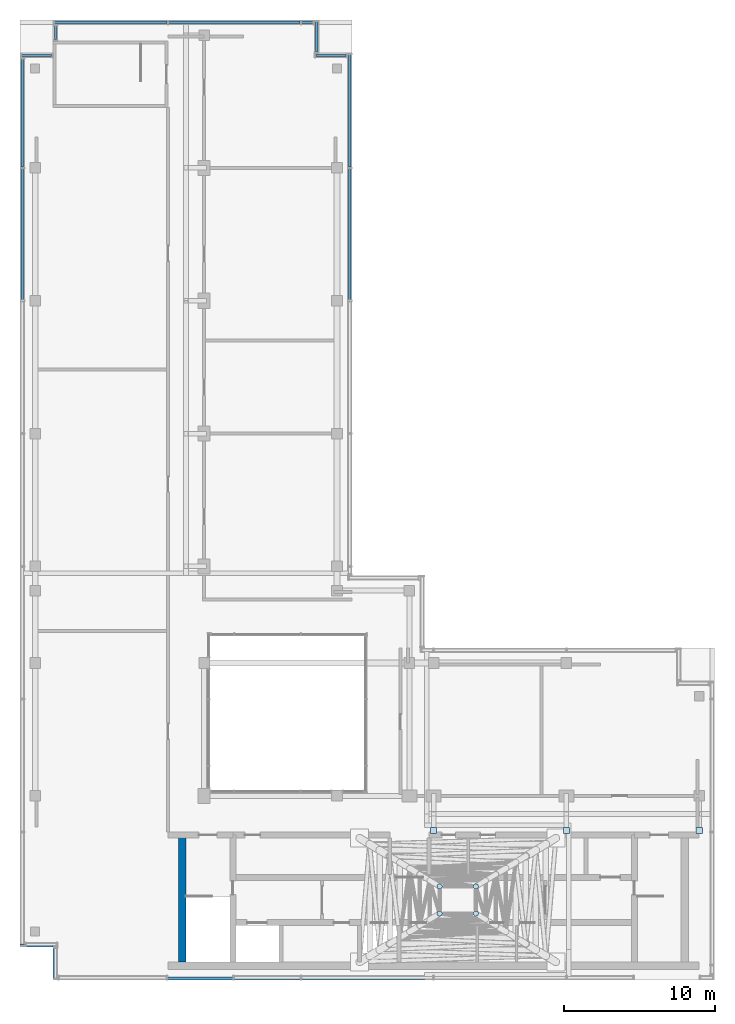
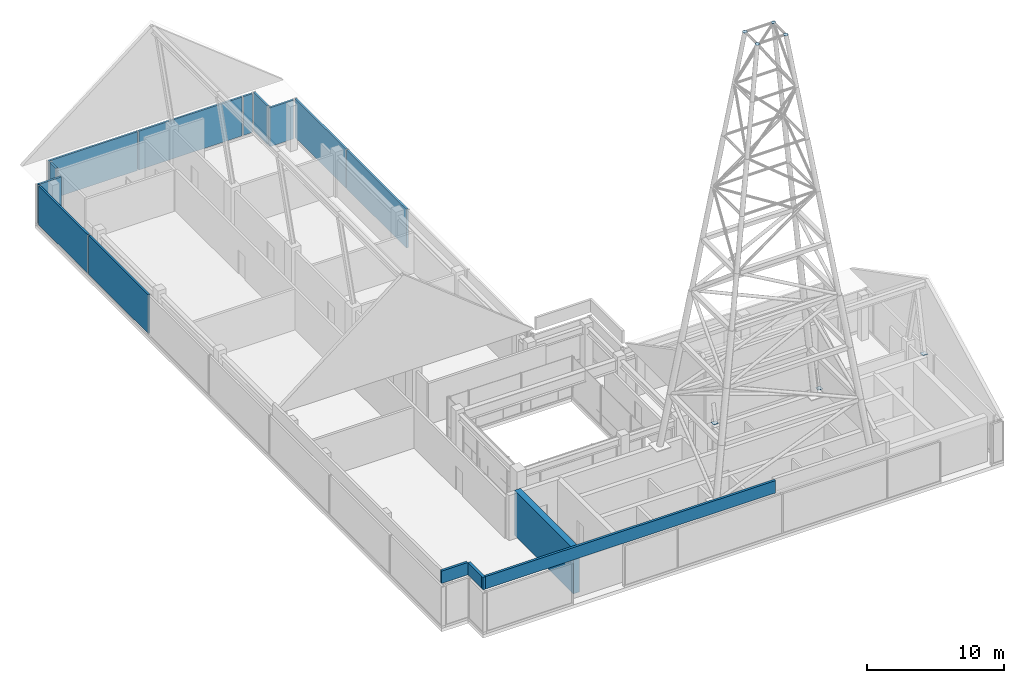
# One storey, part 10 of 13: 18 plates, 4 walls, 7 elements without a shape of their own.
"""IFC4 building model written with IfcOpenShell, lengths in metres."""

from ifc_helpers import new_model, si_unit, direction, frame, frame_2d, origin, origin_2d, place, context, subcontext, project, spatial, polyline, rectangle, outline, extrude, source, transform, mapped, material, layer, layer_set, type_object, element, aggregate, save


model = new_model("IFC4")

# Units and contexts
model_context = context("Model", 3, precision=1e-05, world=origin(), true_north=direction((0.0, 1.0)))
body_context = subcontext(model_context, "Body", "Model", "MODEL_VIEW")
ifc_project = project(units=[si_unit("LENGTHUNIT", "METRE"), si_unit("AREAUNIT", "SQUARE_METRE"), si_unit("VOLUMEUNIT", "CUBIC_METRE"), si_unit("PLANEANGLEUNIT", "RADIAN"), si_unit("MASSUNIT", "GRAM", prefix="KILO")], contexts=[model_context])

# Site, building, storey
site_placement = place(None, origin())
site = spatial("IfcSite", under=ifc_project, at=site_placement, CompositionType="ELEMENT")
building_placement = place(site_placement, origin())
building = spatial("IfcBuilding", under=site, at=building_placement, Name="Kemantara Hotel Tower", CompositionType="ELEMENT")
storey_placement = place(building_placement, frame((0.0, 0.0, 330.199951171875)))
storey = spatial("IfcBuildingStorey", under=building, at=storey_placement, Name="L83", CompositionType="ELEMENT", Elevation=330.199951171875)

# Plates
ifc_material_1 = material(Name="Steel ASTM A572 Grade 50", Category="steel")
ifc_layer_1 = layer(ifc_material_1, 0.02001953125)
ifc_layer_set_1 = layer_set([ifc_layer_1], Name="Steel ASTM A572 Grade 50")
plate_type_1 = type_object("IfcPlateType", Name="STEEL PLATE 20", PredefinedType="SHEET", material=ifc_layer_set_1)
plate_1_placement = place(storey_placement, frame((0.0, 0.0, 40.870361328125)))
element("IfcPlate", 1, at=plate_1_placement, inside=storey, type_object=plate_type_1, Name="MAST LEG 1 END PLATE 20", PredefinedType="SHEET", context=body_context, shape_type="SweptSolid", body=[
    extrude(outline(polyline([(27.977783203125, 4.39990234375), (27.9716796875, 4.446044921875), (27.9541015625, 4.489013671875), (27.92578125, 4.525634765625), (27.888916015625, 4.553955078125), (27.845947265625, 4.57177734375), (27.800048828125, 4.577880859375), (27.75390625, 4.57177734375), (27.711181640625, 4.553955078125), (27.67431640625, 4.525634765625), (27.64599609375, 4.489013671875), (27.62841796875, 4.446044921875), (27.622314453125, 4.39990234375), (27.62841796875, 4.35400390625), (27.64599609375, 4.31103515625), (27.67431640625, 4.2744140625), (27.711181640625, 4.24609375), (27.75390625, 4.228271484375), (27.800048828125, 4.22216796875), (27.845947265625, 4.228271484375), (27.888916015625, 4.24609375), (27.92578125, 4.2744140625), (27.9541015625, 4.31103515625), (27.9716796875, 4.35400390625), (27.977783203125, 4.39990234375)])), origin(), (0.0, 0.0, 1.0), 0.02001953125),
])
plate_2_placement = place(storey_placement, frame((0.0, 0.0, 40.870361328125)))
element("IfcPlate", 2, at=plate_2_placement, inside=storey, type_object=plate_type_1, Name="MAST LEG 2 END PLATE 20", PredefinedType="SHEET", context=body_context, shape_type="SweptSolid", body=[
    extrude(outline(polyline([(30.377685546875, 4.39990234375), (30.37158203125, 4.446044921875), (30.35400390625, 4.489013671875), (30.32568359375, 4.525634765625), (30.288818359375, 4.553955078125), (30.24609375, 4.57177734375), (30.199951171875, 4.577880859375), (30.154052734375, 4.57177734375), (30.111083984375, 4.553955078125), (30.07421875, 4.525634765625), (30.0458984375, 4.489013671875), (30.0283203125, 4.446044921875), (30.022216796875, 4.39990234375), (30.0283203125, 4.35400390625), (30.0458984375, 4.31103515625), (30.07421875, 4.2744140625), (30.111083984375, 4.24609375), (30.154052734375, 4.228271484375), (30.199951171875, 4.22216796875), (30.24609375, 4.228271484375), (30.288818359375, 4.24609375), (30.32568359375, 4.2744140625), (30.35400390625, 4.31103515625), (30.37158203125, 4.35400390625), (30.377685546875, 4.39990234375)])), origin(), (0.0, 0.0, 1.0), 0.02001953125),
])
plate_3_placement = place(storey_placement, frame((0.0, 0.0, 40.870361328125)))
element("IfcPlate", 3, at=plate_3_placement, inside=storey, type_object=plate_type_1, Name="MAST LEG 3 END PLATE 20", PredefinedType="SHEET", context=body_context, shape_type="SweptSolid", body=[
    extrude(outline(polyline([(30.377685546875, 6.199951171875), (30.37158203125, 6.24609375), (30.35400390625, 6.288818359375), (30.32568359375, 6.32568359375), (30.288818359375, 6.35400390625), (30.24609375, 6.37158203125), (30.199951171875, 6.377685546875), (30.154052734375, 6.37158203125), (30.111083984375, 6.35400390625), (30.07421875, 6.32568359375), (30.0458984375, 6.288818359375), (30.0283203125, 6.24609375), (30.022216796875, 6.199951171875), (30.0283203125, 6.154052734375), (30.0458984375, 6.111083984375), (30.07421875, 6.07421875), (30.111083984375, 6.0458984375), (30.154052734375, 6.0283203125), (30.199951171875, 6.022216796875), (30.24609375, 6.0283203125), (30.288818359375, 6.0458984375), (30.32568359375, 6.07421875), (30.35400390625, 6.111083984375), (30.37158203125, 6.154052734375), (30.377685546875, 6.199951171875)])), origin(), (0.0, 0.0, 1.0), 0.02001953125),
])
plate_4_placement = place(storey_placement, frame((0.0, 0.0, 40.870361328125)))
element("IfcPlate", 4, at=plate_4_placement, inside=storey, type_object=plate_type_1, Name="MAST LEG 4 END PLATE 20", PredefinedType="SHEET", context=body_context, shape_type="SweptSolid", body=[
    extrude(outline(polyline([(27.977783203125, 6.199951171875), (27.9716796875, 6.24609375), (27.9541015625, 6.288818359375), (27.92578125, 6.32568359375), (27.888916015625, 6.35400390625), (27.845947265625, 6.37158203125), (27.800048828125, 6.377685546875), (27.75390625, 6.37158203125), (27.711181640625, 6.35400390625), (27.67431640625, 6.32568359375), (27.64599609375, 6.288818359375), (27.62841796875, 6.24609375), (27.622314453125, 6.199951171875), (27.62841796875, 6.154052734375), (27.64599609375, 6.111083984375), (27.67431640625, 6.07421875), (27.711181640625, 6.0458984375), (27.75390625, 6.0283203125), (27.800048828125, 6.022216796875), (27.845947265625, 6.0283203125), (27.888916015625, 6.0458984375), (27.92578125, 6.07421875), (27.9541015625, 6.111083984375), (27.9716796875, 6.154052734375), (27.977783203125, 6.199951171875)])), origin(), (0.0, 0.0, 1.0), 0.02001953125),
])
ifc_layer_2 = layer(ifc_material_1, 0.02490234375)
ifc_layer_set_2 = layer_set([ifc_layer_2], Name="Steel ASTM A572 Grade 50")
plate_type_2 = type_object("IfcPlateType", Name="STEEL PLATE 25", PredefinedType="SHEET", material=ifc_layer_set_2)
shared_shape_1 = source(origin(), body_context, "Body", "SweptSolid", [
    extrude(rectangle(XDim=0.39990234375, YDim=0.39990234375, at=origin_2d()), origin(), (0.0, 0.0, 1.0), 0.02490234375),
])
for number, where, z_axis, x_axis, name in (
    (5, (27.39990234375, 9.89990234375, 4.0), (0.0, 0.0, 1.0), (1.0, 0.0, 0.0), "Ridge frame base plate PEAK A 1"),
    (6, (36.199951171875, 9.89990234375, 4.0), (0.0, 0.0, 1.0), (1.0, 0.0, 0.0), "Ridge frame base plate PEAK A 2"),
    (7, (45.0, 9.89990234375, 4.0), (0.0, 0.0, 1.0), (1.0, 0.0, 0.0), "Ridge frame base plate PEAK A 3"),
):
    element("IfcPlate", number, at=place(storey_placement, frame(where, z_axis=z_axis, x_axis=x_axis)), inside=storey, type_object=plate_type_2, Name=name, PredefinedType="SHEET", context=body_context, shape_type="MappedRepresentation", body=[
        mapped(shared_shape_1, transform((0.0, 0.0, 0.0))),
    ])

# Curtain wall, plates
ifc_material_2 = material(Name="Aluminium 6063-T6 bronze anodised", Category="aluminium")
curtain_wall_type = type_object("IfcCurtainWallType", Name="CROWN LOUVRE SCREEN WALL", PredefinedType="USERDEFINED", material=ifc_material_2)
curtain_wall_1_placement = place(storey_placement, origin())
curtain_wall_1 = element("IfcCurtainWall", 8, at=curtain_wall_1_placement, inside=storey, type_object=curtain_wall_type, Name="CW7 L83 CRN-R02-1", ObjectType="CROWN LOUVRE SCREEN WALL", PredefinedType="USERDEFINED")
ifc_material_3 = material(Name="Bronze anodised aluminium louvre blades 3 mm", Category="aluminium")
ifc_layer_3 = layer(ifc_material_3, 0.159912109375)
ifc_layer_set_3 = layer_set([ifc_layer_3], Name="Bronze anodised aluminium louvre blades 3 mm")
plate_type_3 = type_object("IfcPlateType", Name="CROWN LOUVRE SCREEN WALL PANEL", PredefinedType="CURTAIN_PANEL", material=ifc_layer_set_3)
shared_shape_2 = source(origin(), body_context, "Body", "SweptSolid", [
    extrude(rectangle(XDim=0.75, YDim=0.159912109375, at=origin_2d()), origin(), (0.0, 0.0, 1.0), 3.449951171875),
])
plate_5_placement = place(storey_placement, frame((19.02490234375, 63.449951171875, 0.2001953125), z_axis=(0.0, 0.0, 1.0), x_axis=(-1.0, 0.0, 0.0)))
plate_5 = element("IfcPlate", 9, at=plate_5_placement, type_object=plate_type_3, Name="CW7 louvre panel CRN-R02-1.1", PredefinedType="CURTAIN_PANEL", context=body_context, shape_type="MappedRepresentation", body=[
    mapped(shared_shape_2, transform((0.0, 0.0, 0.0))),
])
shared_shape_3 = source(origin(), body_context, "Body", "SweptSolid", [
    extrude(rectangle(XDim=8.699951171875, YDim=0.159912109375, at=origin_2d()), origin(), (0.0, 0.0, 1.0), 3.449951171875),
])
plate_6_placement = place(storey_placement, frame((14.199951171875, 63.449951171875, 0.2001953125), z_axis=(0.0, 0.0, 1.0), x_axis=(-1.0, 0.0, 0.0)))
plate_6 = element("IfcPlate", 10, at=plate_6_placement, type_object=plate_type_3, Name="CW7 louvre panel CRN-R02-1.2", PredefinedType="CURTAIN_PANEL", context=body_context, shape_type="MappedRepresentation", body=[
    mapped(shared_shape_3, transform((0.0, 0.0, 0.0))),
])

# Curtain wall, plate
curtain_wall_2_placement = place(storey_placement, origin())
curtain_wall_2 = element("IfcCurtainWall", 11, at=curtain_wall_2_placement, inside=storey, type_object=curtain_wall_type, Name="CW7 L83 CRN-R05-1", ObjectType="CROWN LOUVRE SCREEN WALL", PredefinedType="USERDEFINED")
plate_7_placement = place(storey_placement, frame((0.14990234375, 49.39990234375, 0.2001953125), z_axis=(0.0, 0.0, 1.0), x_axis=(0.0, -1.0, 0.0)))
plate_7 = element("IfcPlate", 12, at=plate_7_placement, type_object=plate_type_3, Name="CW7 louvre panel CRN-R05-1.2", PredefinedType="CURTAIN_PANEL", context=body_context, shape_type="MappedRepresentation", body=[
    mapped(shared_shape_3, transform((0.0, 0.0, 0.0))),
])

curtain_wall_3_placement = place(storey_placement, origin())
curtain_wall_3 = element("IfcCurtainWall", 13, at=curtain_wall_3_placement, inside=storey, type_object=curtain_wall_type, Name="CW7 L83 CRN-R15-1", ObjectType="CROWN LOUVRE SCREEN WALL", PredefinedType="USERDEFINED")
plate_8_placement = place(storey_placement, frame((21.85009765625, 49.39990234375, 0.2001953125), z_axis=(0.0, 0.0, 1.0), x_axis=(0.0, 1.0, 0.0)))
plate_8 = element("IfcPlate", 14, at=plate_8_placement, type_object=plate_type_3, Name="CW7 louvre panel CRN-R15-1.4", PredefinedType="CURTAIN_PANEL", context=body_context, shape_type="MappedRepresentation", body=[
    mapped(shared_shape_3, transform((0.0, 0.0, 0.0))),
])

# Plate
shared_shape_4 = source(origin(), body_context, "Body", "SweptSolid", [
    extrude(rectangle(XDim=7.449951171875, YDim=0.159912109375, at=origin_2d()), origin(), (0.0, 0.0, 1.0), 3.449951171875),
])
plate_9_placement = place(storey_placement, frame((6.02490234375, 63.449951171875, 0.2001953125), z_axis=(0.0, 0.0, 1.0), x_axis=(-1.0, 0.0, 0.0)))
plate_9 = element("IfcPlate", 15, at=plate_9_placement, type_object=plate_type_3, Name="CW7 louvre panel CRN-R02-1.3", PredefinedType="CURTAIN_PANEL", context=body_context, shape_type="MappedRepresentation", body=[
    mapped(shared_shape_4, transform((0.0, 0.0, 0.0))),
])

aggregate(curtain_wall_1, [plate_5, plate_6, plate_9])

plate_10_placement = place(storey_placement, frame((21.85009765625, 57.574951171875, 0.2001953125), z_axis=(0.0, 0.0, 1.0), x_axis=(0.0, 1.0, 0.0)))
plate_10 = element("IfcPlate", 16, at=plate_10_placement, type_object=plate_type_3, Name="CW7 louvre panel CRN-R15-1.5", PredefinedType="CURTAIN_PANEL", context=body_context, shape_type="MappedRepresentation", body=[
    mapped(shared_shape_4, transform((0.0, 0.0, 0.0))),
])

aggregate(curtain_wall_3, [plate_8, plate_10])

shared_shape_5 = source(origin(), body_context, "Body", "SweptSolid", [
    extrude(rectangle(XDim=7.14990234375, YDim=0.159912109375, at=origin_2d()), origin(), (0.0, 0.0, 1.0), 3.449951171875),
])
plate_11_placement = place(storey_placement, frame((0.14990234375, 57.425048828125, 0.2001953125), z_axis=(0.0, 0.0, 1.0), x_axis=(0.0, -1.0, 0.0)))
plate_11 = element("IfcPlate", 17, at=plate_11_placement, type_object=plate_type_3, Name="CW7 louvre panel CRN-R05-1.1", PredefinedType="CURTAIN_PANEL", context=body_context, shape_type="MappedRepresentation", body=[
    mapped(shared_shape_5, transform((0.0, 0.0, 0.0))),
])

aggregate(curtain_wall_2, [plate_11, plate_7])

# Curtain wall, plate
curtain_wall_4_placement = place(storey_placement, origin())
curtain_wall_4 = element("IfcCurtainWall", 18, at=curtain_wall_4_placement, inside=storey, type_object=curtain_wall_type, Name="CW7 L83 CRN-R00-1", ObjectType="CROWN LOUVRE SCREEN WALL", PredefinedType="USERDEFINED")
shared_shape_6 = source(origin(), body_context, "Body", "SweptSolid", [
    extrude(rectangle(XDim=2.0, YDim=0.159912109375, at=origin_2d()), origin(), (0.0, 0.0, 1.0), 3.449951171875),
])
plate_12_placement = place(storey_placement, frame((20.60009765625, 61.25, 0.2001953125), z_axis=(0.0, 0.0, 1.0), x_axis=(-1.0, 0.0, 0.0)))
plate_12 = element("IfcPlate", 19, at=plate_12_placement, type_object=plate_type_3, Name="CW7 louvre panel CRN-R00-1.1", PredefinedType="CURTAIN_PANEL", context=body_context, shape_type="MappedRepresentation", body=[
    mapped(shared_shape_6, transform((0.0, 0.0, 0.0))),
])
aggregate(curtain_wall_4, [plate_12])

curtain_wall_5_placement = place(storey_placement, origin())
curtain_wall_5 = element("IfcCurtainWall", 20, at=curtain_wall_5_placement, inside=storey, type_object=curtain_wall_type, Name="CW7 L83 CRN-R01-1", ObjectType="CROWN LOUVRE SCREEN WALL", PredefinedType="USERDEFINED")
plate_13_placement = place(storey_placement, frame((19.64990234375, 62.5, 0.2001953125), z_axis=(0.0, 0.0, 1.0), x_axis=(0.0, 1.0, 0.0)))
plate_13 = element("IfcPlate", 21, at=plate_13_placement, type_object=plate_type_3, Name="CW7 louvre panel CRN-R01-1.1", PredefinedType="CURTAIN_PANEL", context=body_context, shape_type="MappedRepresentation", body=[
    mapped(shared_shape_6, transform((0.0, 0.0, 0.0))),
])
aggregate(curtain_wall_5, [plate_13])

curtain_wall_6_placement = place(storey_placement, origin())
curtain_wall_6 = element("IfcCurtainWall", 22, at=curtain_wall_6_placement, inside=storey, type_object=curtain_wall_type, Name="CW7 L83 CRN-R04-1", ObjectType="CROWN LOUVRE SCREEN WALL", PredefinedType="USERDEFINED")
plate_14_placement = place(storey_placement, frame((1.10009765625, 61.25, 0.2001953125), z_axis=(0.0, 0.0, 1.0), x_axis=(-1.0, 0.0, 0.0)))
plate_14 = element("IfcPlate", 23, at=plate_14_placement, type_object=plate_type_3, Name="CW7 louvre panel CRN-R04-1.1", PredefinedType="CURTAIN_PANEL", context=body_context, shape_type="MappedRepresentation", body=[
    mapped(shared_shape_6, transform((0.0, 0.0, 0.0))),
])
aggregate(curtain_wall_6, [plate_14])

curtain_wall_7_placement = place(storey_placement, origin())
curtain_wall_7 = element("IfcCurtainWall", 24, at=curtain_wall_7_placement, inside=storey, type_object=curtain_wall_type, Name="CW7 L83 CRN-R03-1", ObjectType="CROWN LOUVRE SCREEN WALL", PredefinedType="USERDEFINED")
shared_shape_7 = source(origin(), body_context, "Body", "SweptSolid", [
    extrude(rectangle(XDim=0.89990234375, YDim=0.159912109375, at=origin_2d()), origin(), (0.0, 0.0, 1.0), 3.449951171875),
])
plate_15_placement = place(storey_placement, frame((2.35009765625, 62.75, 0.2001953125), z_axis=(0.0, 0.0, 1.0), x_axis=(0.0, -1.0, 0.0)))
plate_15 = element("IfcPlate", 25, at=plate_15_placement, type_object=plate_type_3, Name="CW7 louvre panel CRN-R03-1.1", PredefinedType="CURTAIN_PANEL", context=body_context, shape_type="MappedRepresentation", body=[
    mapped(shared_shape_7, transform((0.0, 0.0, 0.0))),
])
aggregate(curtain_wall_7, [plate_15])

# Walls
ifc_material_4 = material(Name="Concrete fc 50 MPa", Category="concrete")
ifc_layer_4 = layer(ifc_material_4, 0.5)
ifc_layer_set_4 = layer_set([ifc_layer_4], Name="Concrete fc 50 MPa")
wall_type_1 = type_object("IfcWallType", Name="CORE WALL 500 FC50", PredefinedType="SHEAR", material=ifc_layer_set_4)
wall_1_placement = place(storey_placement, frame((10.75, 1.199951171875, 0.0), z_axis=(0.0, 0.0, 1.0), x_axis=(0.0, 1.0, 0.0)))
element("IfcWall", 26, at=wall_1_placement, inside=storey, type_object=wall_type_1, Name="CORE WALL CW-W", PredefinedType="SHEAR", context=body_context, shape_type="SweptSolid", body=[
    extrude(rectangle(XDim=8.60009765625, YDim=0.5, at=frame_2d((4.300048828125, 0.0))), origin(), (0.0, 0.0, 1.0), 4.0),
])
ifc_material_5 = material(Name="Concrete K-400 (fc 33 MPa)", Category="concrete")
ifc_layer_5 = layer(ifc_material_5, 0.199951171875)
ifc_layer_set_5 = layer_set([ifc_layer_5], Name="Concrete K-400 (fc 33 MPa)")
wall_type_2 = type_object("IfcWallType", Name="ROOF PARAPET 200", PredefinedType="PARAPET", material=ifc_layer_set_5)
wall_2_placement = place(storey_placement, frame((2.300048828125, 2.199951171875, 4.0), z_axis=(0.0, 0.0, 1.0), x_axis=(0.0, -1.0, 0.0)))
element("IfcWall", 27, at=wall_2_placement, inside=storey, type_object=wall_type_2, Name="DRUM ROOF PARAPET 1.1", PredefinedType="PARAPET", context=body_context, shape_type="SweptSolid", body=[
    extrude(rectangle(XDim=2.199951171875, YDim=0.199951171875, at=frame_2d((1.10009765625, 0.0))), origin(), (0.0, 0.0, 1.0), 1.10009765625),
])
wall_3_placement = place(storey_placement, frame((2.199951171875, 0.10009765625, 4.0), z_axis=(0.0, 0.0, 1.0), x_axis=(1.0, 0.0, 0.0)))
element("IfcWall", 28, at=wall_3_placement, inside=storey, type_object=wall_type_2, Name="DRUM ROOF PARAPET 1.2", PredefinedType="PARAPET", context=body_context, shape_type="SweptSolid", body=[
    extrude(rectangle(XDim=24.60009765625, YDim=0.199951171875, at=frame_2d((12.300048828125, 0.0))), origin(), (0.0, 0.0, 1.0), 1.10009765625),
])
wall_4_placement = place(storey_placement, frame((0.0, 2.300048828125, 4.0), z_axis=(0.0, 0.0, 1.0), x_axis=(1.0, 0.0, 0.0)))
element("IfcWall", 29, at=wall_4_placement, inside=storey, type_object=wall_type_2, Name="DRUM ROOF PARAPET 1.8", PredefinedType="PARAPET", context=body_context, shape_type="SweptSolid", body=[
    extrude(rectangle(XDim=2.199951171875, YDim=0.199951171875, at=frame_2d((1.10009765625, 0.0))), origin(), (0.0, 0.0, 1.0), 1.10009765625),
])

save(model, "model.ifc")
